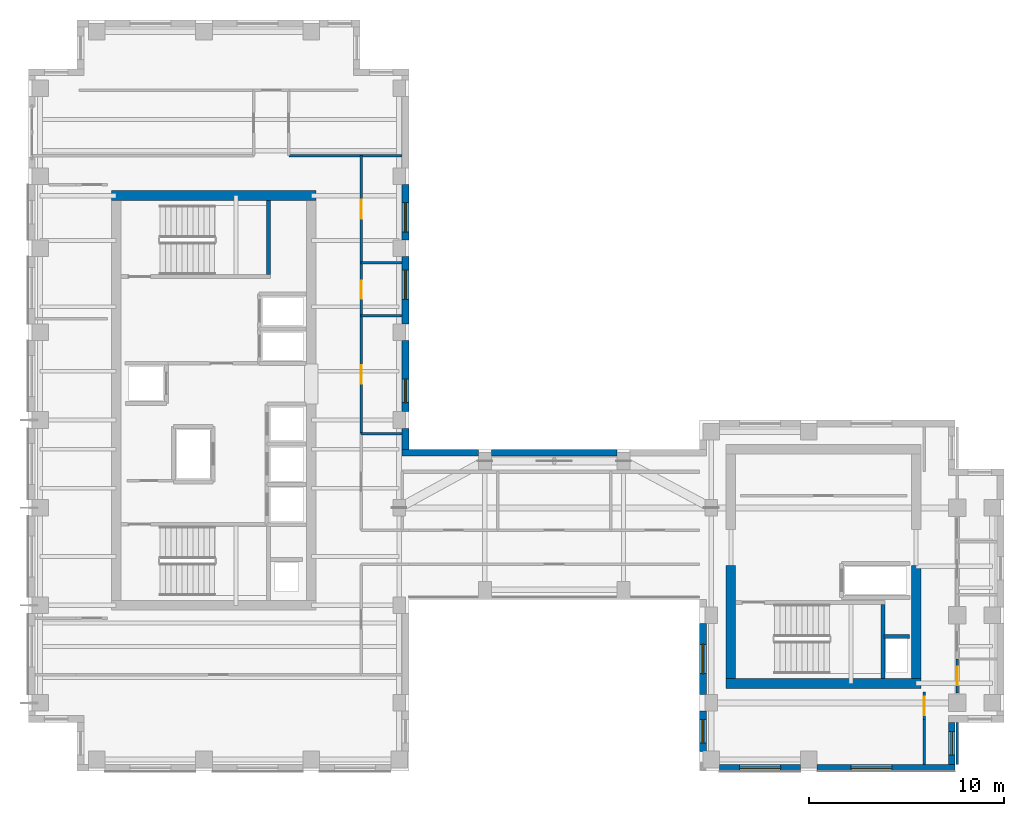
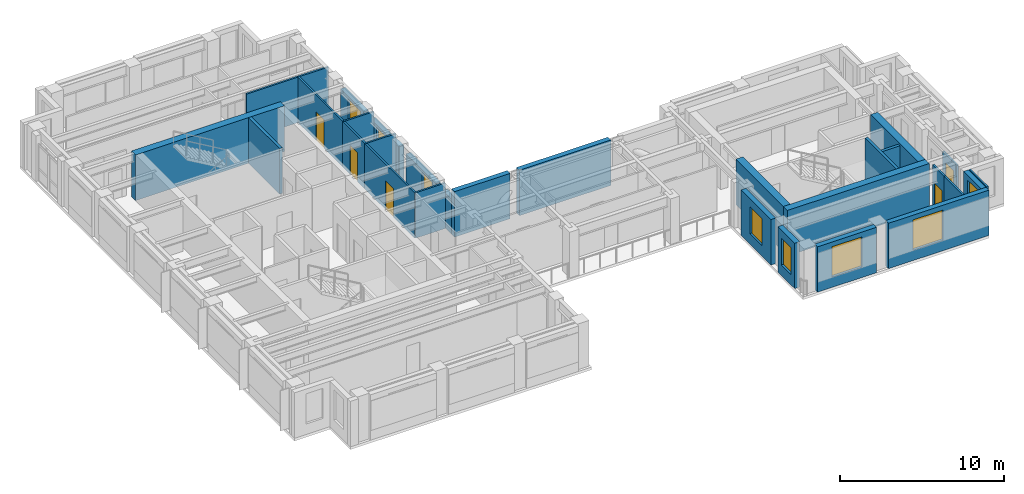
# One storey, part 8 of 13: 29 walls, 8 windows, 5 doors, 13 openings.
"""IFC4 building model written with IfcOpenShell, lengths in metres."""

from ifc_helpers import new_model, si_unit, direction, frame, frame_2d, origin, place, context, subcontext, project, spatial, rectangle, extrude, source, transform, mapped, material, layer, layer_set, type_object, element, fill, save


model = new_model("IFC4")

# Units and contexts
model_context = context("Model", 3, precision=1e-05, world=origin(), true_north=direction((0.0, 1.0)))
body_context = subcontext(model_context, "Body", "Model", "MODEL_VIEW")
ifc_project = project(units=[si_unit("LENGTHUNIT", "METRE"), si_unit("AREAUNIT", "SQUARE_METRE"), si_unit("VOLUMEUNIT", "CUBIC_METRE"), si_unit("PLANEANGLEUNIT", "RADIAN"), si_unit("MASSUNIT", "GRAM", prefix="KILO")], contexts=[model_context])

# Site, building, storey
site_placement = place(None, origin())
site = spatial("IfcSite", under=ifc_project, at=site_placement, CompositionType="ELEMENT")
building_placement = place(site_placement, origin())
building = spatial("IfcBuilding", under=site, at=building_placement, Name="Kharzan Plaza Tower", CompositionType="ELEMENT")
storey_placement = place(building_placement, frame((0.0, 0.0, 244.800048828125)))
storey = spatial("IfcBuildingStorey", under=building, at=storey_placement, Name="L66", CompositionType="ELEMENT", Elevation=244.800048828125)

# Wall, opening, window
ifc_material_1 = material(Name="Concrete C40/50", Category="concrete")
ifc_layer_1 = layer(ifc_material_1, 0.35009765625)
ifc_layer_set_1 = layer_set([ifc_layer_1], Name="Concrete C40/50")
wall_type_1 = type_object("IfcWallType", Name="WL-EXT-MAS-Z4", PredefinedType="SOLIDWALL", material=ifc_layer_set_1)
wall_1_placement = place(storey_placement, frame((19.324951171875, 18.423095703125, 0.0), z_axis=(0.0, 0.0, 1.0), x_axis=(0.0, 1.0, 0.0)))
wall_1 = element("IfcWall", 1, at=wall_1_placement, inside=storey, type_object=wall_type_1, Name="L66 Masonry-Frame Exterior Wall 02", PredefinedType="SOLIDWALL", context=body_context, shape_type="SweptSolid", body=[
    extrude(rectangle(XDim=3.65380859375, YDim=0.35009765625, at=frame_2d((1.826904296875, 0.0))), origin(), (0.0, 0.0, 1.0), 2.618896484375),
])
opening_1_placement = place(wall_1_placement, frame((0.469970703125, 0.0, 0.780029296875)))
opening_1 = element("IfcOpeningElement", 2, at=opening_1_placement, cuts=wall_1, Name="Opening W3", PredefinedType="OPENING", context=body_context, shape_type="SweptSolid", body=[
    extrude(rectangle(XDim=1.199951171875, YDim=1.658935546875, at=frame_2d((0.60009765625, 0.82958984375))), frame((0.0, 0.18505859375, 0.0), z_axis=(0.0, -1.0, 0.0), x_axis=(1.0, 0.0, 0.0)), (0.0, 0.0, 1.0), 0.3701171875),
])
ifc_material_2 = material(Name="Low-E Double Glazing", Category="glass")
window_type_1 = type_object("IfcWindowType", Name="WN-REC-1200x2100", PartitioningType="SINGLE_PANEL", PredefinedType="WINDOW", material=ifc_material_2)
shared_shape_1 = source(origin(), body_context, "Body", "SweptSolid", [
    extrude(rectangle(XDim=1.199951171875, YDim=1.658935546875, at=frame_2d((0.60009765625, 0.82958984375))), frame((0.0, 0.030029296875, 0.0), z_axis=(0.0, -1.0, 0.0), x_axis=(1.0, 0.0, 0.0)), (0.0, 0.0, 1.0), 0.06005859375),
])
window_1_placement = place(opening_1_placement, origin())
window_1 = element("IfcWindow", 3, at=window_1_placement, inside=storey, type_object=window_type_1, Name="L66 Recessed Solar-Control Window 02-1", OverallHeight=1.658935546875, OverallWidth=1.199951171875, PartitioningType="SINGLE_PANEL", PredefinedType="WINDOW", context=body_context, shape_type="MappedRepresentation", body=[
    mapped(shared_shape_1, transform((0.0, 0.0, 0.0), x_axis=(1.0, 0.0, 0.0), y_axis=(0.0, 1.0, 0.0), z_axis=(0.0, 0.0, 1.0))),
])
fill(opening_1, window_1)

wall_2_placement = place(storey_placement, frame((19.324951171875, 22.923095703125, 0.0), z_axis=(0.0, 0.0, 1.0), x_axis=(0.0, 1.0, 0.0)))
wall_2 = element("IfcWall", 4, at=wall_2_placement, inside=storey, type_object=wall_type_1, Name="L66 Masonry-Frame Exterior Wall 03", PredefinedType="SOLIDWALL", context=body_context, shape_type="SweptSolid", body=[
    extrude(rectangle(XDim=3.453857421875, YDim=0.35009765625, at=frame_2d((1.72705078125, 0.0))), origin(), (0.0, 0.0, 1.0), 2.618896484375),
])
opening_2_placement = place(wall_2_placement, frame((1.255615234375, 0.0, 0.780029296875)))
opening_2 = element("IfcOpeningElement", 5, at=opening_2_placement, cuts=wall_2, Name="Opening W5", PredefinedType="OPENING", context=body_context, shape_type="SweptSolid", body=[
    extrude(rectangle(XDim=1.5, YDim=1.658935546875, at=frame_2d((0.75, 0.82958984375))), frame((0.0, 0.18505859375, 0.0), z_axis=(0.0, -1.0, 0.0), x_axis=(1.0, 0.0, 0.0)), (0.0, 0.0, 1.0), 0.3701171875),
])
window_type_2 = type_object("IfcWindowType", Name="WN-SLT-1500x2000", PartitioningType="SINGLE_PANEL", PredefinedType="WINDOW", material=ifc_material_2)
shared_shape_2 = source(origin(), body_context, "Body", "SweptSolid", [
    extrude(rectangle(XDim=1.5, YDim=1.658935546875, at=frame_2d((0.75, 0.82958984375))), frame((0.0, 0.030029296875, 0.0), z_axis=(0.0, -1.0, 0.0), x_axis=(1.0, 0.0, 0.0)), (0.0, 0.0, 1.0), 0.06005859375),
])
window_2_placement = place(opening_2_placement, origin())
window_2 = element("IfcWindow", 6, at=window_2_placement, inside=storey, type_object=window_type_2, Name="L66 Recessed Solar-Control Window 03-1", OverallHeight=1.658935546875, OverallWidth=1.5, PartitioningType="SINGLE_PANEL", PredefinedType="WINDOW", context=body_context, shape_type="MappedRepresentation", body=[
    mapped(shared_shape_2, transform((0.0, 0.0, 0.0), x_axis=(1.0, 0.0, 0.0), y_axis=(0.0, 1.0, 0.0), z_axis=(0.0, 0.0, 1.0))),
])
fill(opening_2, window_2)

wall_3_placement = place(storey_placement, frame((19.324951171875, 27.222900390625, 0.0), z_axis=(0.0, 0.0, 1.0), x_axis=(0.0, 1.0, 0.0)))
wall_3 = element("IfcWall", 7, at=wall_3_placement, inside=storey, type_object=wall_type_1, Name="L66 Masonry-Frame Exterior Wall 04", PredefinedType="SOLIDWALL", context=body_context, shape_type="SweptSolid", body=[
    extrude(rectangle(XDim=2.85400390625, YDim=0.35009765625, at=frame_2d((1.427001953125, 0.0))), origin(), (0.0, 0.0, 1.0), 2.618896484375),
])
opening_3_placement = place(wall_3_placement, frame((0.411376953125, 0.0, 0.780029296875)))
opening_3 = element("IfcOpeningElement", 8, at=opening_3_placement, cuts=wall_3, Name="Opening W5", PredefinedType="OPENING", context=body_context, shape_type="SweptSolid", body=[
    extrude(rectangle(XDim=1.5, YDim=1.658935546875, at=frame_2d((0.75, 0.82958984375))), frame((0.0, 0.18505859375, 0.0), z_axis=(0.0, -1.0, 0.0), x_axis=(1.0, 0.0, 0.0)), (0.0, 0.0, 1.0), 0.3701171875),
])
window_3_placement = place(opening_3_placement, origin())
window_3 = element("IfcWindow", 9, at=window_3_placement, inside=storey, type_object=window_type_2, Name="L66 Recessed Solar-Control Window 04-1", OverallHeight=1.658935546875, OverallWidth=1.5, PartitioningType="SINGLE_PANEL", PredefinedType="WINDOW", context=body_context, shape_type="MappedRepresentation", body=[
    mapped(shared_shape_2, transform((0.0, 0.0, 0.0), x_axis=(1.0, 0.0, 0.0), y_axis=(0.0, 1.0, 0.0), z_axis=(0.0, 0.0, 1.0))),
])
fill(opening_3, window_3)

wall_4_placement = place(storey_placement, frame((34.574951171875, 7.576904296875, 0.0), z_axis=(0.0, 0.0, 1.0), x_axis=(0.0, -1.0, 0.0)))
wall_4 = element("IfcWall", 10, at=wall_4_placement, inside=storey, type_object=wall_type_1, Name="L66 Masonry-Frame Exterior Wall 34", PredefinedType="SOLIDWALL", context=body_context, shape_type="SweptSolid", body=[
    extrude(rectangle(XDim=3.65380859375, YDim=0.35009765625, at=frame_2d((1.826904296875, 0.0))), origin(), (0.0, 0.0, 1.0), 3.385009765625),
])
opening_4_placement = place(wall_4_placement, frame((1.076904296875, 0.0, 0.780029296875)))
opening_4 = element("IfcOpeningElement", 11, at=opening_4_placement, cuts=wall_4, Name="Opening W5", PredefinedType="OPENING", context=body_context, shape_type="SweptSolid", body=[
    extrude(rectangle(XDim=1.5, YDim=2.0, at=frame_2d((0.75, 1.0))), frame((0.0, 0.18505859375, 0.0), z_axis=(0.0, -1.0, 0.0), x_axis=(1.0, 0.0, 0.0)), (0.0, 0.0, 1.0), 0.3701171875),
])
shared_shape_3 = source(origin(), body_context, "Body", "SweptSolid", [
    extrude(rectangle(XDim=1.5, YDim=2.0, at=frame_2d((0.75, 1.0))), frame((0.0, 0.030029296875, 0.0), z_axis=(0.0, -1.0, 0.0), x_axis=(1.0, 0.0, 0.0)), (0.0, 0.0, 1.0), 0.06005859375),
])
window_4_placement = place(opening_4_placement, origin())
window_4 = element("IfcWindow", 12, at=window_4_placement, inside=storey, type_object=window_type_2, Name="L66 Recessed Solar-Control Window 34-1", OverallHeight=2.0, OverallWidth=1.5, PartitioningType="SINGLE_PANEL", PredefinedType="WINDOW", context=body_context, shape_type="MappedRepresentation", body=[
    mapped(shared_shape_3, transform((0.0, 0.0, 0.0), x_axis=(1.0, 0.0, 0.0), y_axis=(0.0, 1.0, 0.0), z_axis=(0.0, 0.0, 1.0))),
])
fill(opening_4, window_4)

wall_5_placement = place(storey_placement, frame((34.574951171875, 3.076904296875, 0.0), z_axis=(0.0, 0.0, 1.0), x_axis=(0.0, -1.0, 0.0)))
wall_5 = element("IfcWall", 13, at=wall_5_placement, inside=storey, type_object=wall_type_1, Name="L66 Masonry-Frame Exterior Wall 35", PredefinedType="SOLIDWALL", context=body_context, shape_type="SweptSolid", body=[
    extrude(rectangle(XDim=2.053955078125, YDim=0.35009765625, at=frame_2d((1.02685546875, 0.0))), origin(), (0.0, 0.0, 1.0), 3.385009765625),
])
opening_5_placement = place(wall_5_placement, frame((0.427001953125, 0.0, 0.780029296875)))
opening_5 = element("IfcOpeningElement", 14, at=opening_5_placement, cuts=wall_5, Name="Opening W3", PredefinedType="OPENING", context=body_context, shape_type="SweptSolid", body=[
    extrude(rectangle(XDim=1.199951171875, YDim=2.0, at=frame_2d((0.60009765625, 1.0))), frame((0.0, 0.18505859375, 0.0), z_axis=(0.0, -1.0, 0.0), x_axis=(1.0, 0.0, 0.0)), (0.0, 0.0, 1.0), 0.3701171875),
])
shared_shape_4 = source(origin(), body_context, "Body", "SweptSolid", [
    extrude(rectangle(XDim=1.199951171875, YDim=2.0, at=frame_2d((0.60009765625, 1.0))), frame((0.0, 0.030029296875, 0.0), z_axis=(0.0, -1.0, 0.0), x_axis=(1.0, 0.0, 0.0)), (0.0, 0.0, 1.0), 0.06005859375),
])
window_5_placement = place(opening_5_placement, origin())
window_5 = element("IfcWindow", 15, at=window_5_placement, inside=storey, type_object=window_type_1, Name="L66 Recessed Solar-Control Window 35-1", OverallHeight=2.0, OverallWidth=1.199951171875, PartitioningType="SINGLE_PANEL", PredefinedType="WINDOW", context=body_context, shape_type="MappedRepresentation", body=[
    mapped(shared_shape_4, transform((0.0, 0.0, 0.0), x_axis=(1.0, 0.0, 0.0), y_axis=(0.0, 1.0, 0.0), z_axis=(0.0, 0.0, 1.0))),
])
fill(opening_5, window_5)

wall_6_placement = place(storey_placement, frame((35.423095703125, 0.175048828125, 0.0), z_axis=(0.0, 0.0, 1.0), x_axis=(1.0, 0.0, 0.0)))
wall_6 = element("IfcWall", 16, at=wall_6_placement, inside=storey, type_object=wall_type_1, Name="L66 Masonry-Frame Exterior Wall 36", PredefinedType="SOLIDWALL", context=body_context, shape_type="SweptSolid", body=[
    extrude(rectangle(XDim=4.15380859375, YDim=0.35009765625, at=frame_2d((2.076904296875, 0.0))), origin(), (0.0, 0.0, 1.0), 3.385009765625),
])
opening_6_placement = place(wall_6_placement, frame((1.027099609375, 0.0, 0.780029296875)))
opening_6 = element("IfcOpeningElement", 17, at=opening_6_placement, cuts=wall_6, Name="Opening W6", PredefinedType="OPENING", context=body_context, shape_type="SweptSolid", body=[
    extrude(rectangle(XDim=2.10009765625, YDim=2.25, at=frame_2d((1.050048828125, 1.125))), frame((0.0, 0.18505859375, 0.0), z_axis=(0.0, -1.0, 0.0), x_axis=(1.0, 0.0, 0.0)), (0.0, 0.0, 1.0), 0.3701171875),
])
window_type_3 = type_object("IfcWindowType", Name="WN-EXEC-2100x2250", PartitioningType="SINGLE_PANEL", PredefinedType="WINDOW", material=ifc_material_2)
shared_shape_5 = source(origin(), body_context, "Body", "SweptSolid", [
    extrude(rectangle(XDim=2.10009765625, YDim=2.25, at=frame_2d((1.050048828125, 1.125))), frame((0.0, 0.030029296875, 0.0), z_axis=(0.0, -1.0, 0.0), x_axis=(1.0, 0.0, 0.0)), (0.0, 0.0, 1.0), 0.06005859375),
])
window_6_placement = place(opening_6_placement, origin())
window_6 = element("IfcWindow", 18, at=window_6_placement, inside=storey, type_object=window_type_3, Name="L66 Recessed Solar-Control Window 36-1", OverallHeight=2.25, OverallWidth=2.10009765625, PartitioningType="SINGLE_PANEL", PredefinedType="WINDOW", context=body_context, shape_type="MappedRepresentation", body=[
    mapped(shared_shape_5, transform((0.0, 0.0, 0.0), x_axis=(1.0, 0.0, 0.0), y_axis=(0.0, 1.0, 0.0), z_axis=(0.0, 0.0, 1.0))),
])
fill(opening_6, window_6)

wall_7_placement = place(storey_placement, frame((40.423095703125, 0.175048828125, 0.0), z_axis=(0.0, 0.0, 1.0), x_axis=(1.0, 0.0, 0.0)))
wall_7 = element("IfcWall", 19, at=wall_7_placement, inside=storey, type_object=wall_type_1, Name="L66 Masonry-Frame Exterior Wall 37", PredefinedType="SOLIDWALL", context=body_context, shape_type="SweptSolid", body=[
    extrude(rectangle(XDim=7.076904296875, YDim=0.35009765625, at=frame_2d((3.53857421875, 0.0))), origin(), (0.0, 0.0, 1.0), 3.385009765625),
])
opening_7_placement = place(wall_7_placement, frame((1.7333984375, 0.0, 0.780029296875)))
opening_7 = element("IfcOpeningElement", 20, at=opening_7_placement, cuts=wall_7, Name="Opening W6", PredefinedType="OPENING", context=body_context, shape_type="SweptSolid", body=[
    extrude(rectangle(XDim=2.10009765625, YDim=2.25, at=frame_2d((1.050048828125, 1.125))), frame((0.0, 0.18505859375, 0.0), z_axis=(0.0, -1.0, 0.0), x_axis=(1.0, 0.0, 0.0)), (0.0, 0.0, 1.0), 0.3701171875),
])
window_7_placement = place(opening_7_placement, origin())
window_7 = element("IfcWindow", 21, at=window_7_placement, inside=storey, type_object=window_type_3, Name="L66 Recessed Solar-Control Window 37-1", OverallHeight=2.25, OverallWidth=2.10009765625, PartitioningType="SINGLE_PANEL", PredefinedType="WINDOW", context=body_context, shape_type="MappedRepresentation", body=[
    mapped(shared_shape_5, transform((0.0, 0.0, 0.0), x_axis=(1.0, 0.0, 0.0), y_axis=(0.0, 1.0, 0.0), z_axis=(0.0, 0.0, 1.0))),
])
fill(opening_7, window_7)

wall_8_placement = place(storey_placement, frame((47.324951171875, 0.347900390625, 0.0), z_axis=(0.0, 0.0, 1.0), x_axis=(0.0, 1.0, 0.0)))
wall_8 = element("IfcWall", 22, at=wall_8_placement, inside=storey, type_object=wall_type_1, Name="L66 Masonry-Frame Exterior Wall 38", PredefinedType="SOLIDWALL", context=body_context, shape_type="SweptSolid", body=[
    extrude(rectangle(XDim=2.154052734375, YDim=0.35009765625, at=frame_2d((1.0771484375, 0.0))), origin(), (0.0, 0.0, 1.0), 3.385009765625),
])
opening_8_placement = place(wall_8_placement, frame((0.47705078125, 0.0, 0.780029296875)))
opening_8 = element("IfcOpeningElement", 23, at=opening_8_placement, cuts=wall_8, Name="Opening W3", PredefinedType="OPENING", context=body_context, shape_type="SweptSolid", body=[
    extrude(rectangle(XDim=1.199951171875, YDim=2.25, at=frame_2d((0.60009765625, 1.125))), frame((0.0, 0.18505859375, 0.0), z_axis=(0.0, -1.0, 0.0), x_axis=(1.0, 0.0, 0.0)), (0.0, 0.0, 1.0), 0.3701171875),
])
shared_shape_6 = source(origin(), body_context, "Body", "SweptSolid", [
    extrude(rectangle(XDim=1.199951171875, YDim=2.25, at=frame_2d((0.60009765625, 1.125))), frame((0.0, 0.030029296875, 0.0), z_axis=(0.0, -1.0, 0.0), x_axis=(1.0, 0.0, 0.0)), (0.0, 0.0, 1.0), 0.06005859375),
])
window_8_placement = place(opening_8_placement, origin())
window_8 = element("IfcWindow", 24, at=window_8_placement, inside=storey, type_object=window_type_1, Name="L66 Recessed Solar-Control Window 38-1", OverallHeight=2.25, OverallWidth=1.199951171875, PartitioningType="SINGLE_PANEL", PredefinedType="WINDOW", context=body_context, shape_type="MappedRepresentation", body=[
    mapped(shared_shape_6, transform((0.0, 0.0, 0.0), x_axis=(1.0, 0.0, 0.0), y_axis=(0.0, 1.0, 0.0), z_axis=(0.0, 0.0, 1.0))),
])
fill(opening_8, window_8)

# Wall, opening, door
ifc_material_3 = material(Name="Fire-Rated Gypsum Board Partition", Category="gypsum")
ifc_layer_2 = layer(ifc_material_3, 0.125)
ifc_layer_set_2 = layer_set([ifc_layer_2], Name="Fire-Rated Gypsum Board Partition")
wall_type_2 = type_object("IfcWallType", Name="WL-INT-PART-125", PredefinedType="PARTITIONING", material=ifc_layer_set_2)
wall_9_placement = place(storey_placement, frame((17.050048828125, 17.300048828125, 0.0), z_axis=(0.0, 0.0, 1.0), x_axis=(0.0, 1.0, 0.0)))
wall_9 = element("IfcWall", 25, at=wall_9_placement, inside=storey, type_object=wall_type_2, Name="L66 Interior Partition SH-AEWN2", PredefinedType="PARTITIONING", context=body_context, shape_type="SweptSolid", body=[
    extrude(rectangle(XDim=6.050048828125, YDim=0.125, at=frame_2d((3.02490234375, 0.0))), origin(), (0.0, 0.0, 1.0), 3.385009765625),
])
opening_9_placement = place(wall_9_placement, frame((2.550048828125, 0.0, 0.0)))
opening_9 = element("IfcOpeningElement", 26, at=opening_9_placement, cuts=wall_9, Name="Opening OD1", PredefinedType="OPENING", context=body_context, shape_type="SweptSolid", body=[
    extrude(rectangle(XDim=0.949951171875, YDim=2.14990234375, at=frame_2d((0.47509765625, 1.074951171875))), frame((0.0, 0.072509765625, 0.0), z_axis=(0.0, -1.0, 0.0), x_axis=(1.0, 0.0, 0.0)), (0.0, 0.0, 1.0), 0.14501953125),
])
ifc_material_4 = material(Name="Acoustic Solid-Core Stained Oak", Category="timber")
door_type_1 = type_object("IfcDoorType", Name="DR-OFF-SINGLE", OperationType="NOTDEFINED", PredefinedType="DOOR", material=ifc_material_4)
shared_shape_7 = source(origin(), body_context, "Body", "SweptSolid", [
    extrude(rectangle(XDim=0.949951171875, YDim=2.14990234375, at=frame_2d((0.47509765625, 1.074951171875))), frame((0.0, 0.02490234375, 0.0), z_axis=(0.0, -1.0, 0.0), x_axis=(1.0, 0.0, 0.0)), (0.0, 0.0, 1.0), 0.050048828125),
])
door_1_placement = place(opening_9_placement, origin())
door_1 = element("IfcDoor", 27, at=door_1_placement, inside=storey, type_object=door_type_1, Name="L66 Slot Studio Door", OperationType="SINGLE_SWING_RIGHT", OverallHeight=2.14990234375, OverallWidth=0.949951171875, PredefinedType="DOOR", context=body_context, shape_type="MappedRepresentation", body=[
    mapped(shared_shape_7, transform((0.0, 0.0, 0.0), x_axis=(1.0, 0.0, 0.0), y_axis=(0.0, 1.0, 0.0), z_axis=(0.0, 0.0, 1.0))),
])
fill(opening_9, door_1)

wall_10_placement = place(storey_placement, frame((17.050048828125, 26.050048828125, 0.0), z_axis=(0.0, 0.0, 1.0), x_axis=(0.0, 1.0, 0.0)))
wall_10 = element("IfcWall", 28, at=wall_10_placement, inside=storey, type_object=wall_type_2, Name="L66 Interior Partition SH-AEWN3", PredefinedType="PARTITIONING", context=body_context, shape_type="SweptSolid", body=[
    extrude(rectangle(XDim=5.5, YDim=0.125, at=frame_2d((2.75, 0.0))), origin(), (0.0, 0.0, 1.0), 3.385009765625),
])
opening_10_placement = place(wall_10_placement, frame((2.27490234375, 0.0, 0.0)))
opening_10 = element("IfcOpeningElement", 29, at=opening_10_placement, cuts=wall_10, Name="Opening OD1", PredefinedType="OPENING", context=body_context, shape_type="SweptSolid", body=[
    extrude(rectangle(XDim=0.949951171875, YDim=2.14990234375, at=frame_2d((0.47509765625, 1.074951171875))), frame((0.0, 0.072509765625, 0.0), z_axis=(0.0, -1.0, 0.0), x_axis=(1.0, 0.0, 0.0)), (0.0, 0.0, 1.0), 0.14501953125),
])
door_2_placement = place(opening_10_placement, origin())
door_2 = element("IfcDoor", 30, at=door_2_placement, inside=storey, type_object=door_type_1, Name="L66 Staff Tea Point Door", OperationType="SINGLE_SWING_RIGHT", OverallHeight=2.14990234375, OverallWidth=0.949951171875, PredefinedType="DOOR", context=body_context, shape_type="MappedRepresentation", body=[
    mapped(shared_shape_7, transform((0.0, 0.0, 0.0), x_axis=(1.0, 0.0, 0.0), y_axis=(0.0, 1.0, 0.0), z_axis=(0.0, 0.0, 1.0))),
])
fill(opening_10, door_2)

wall_11_placement = place(storey_placement, frame((17.050048828125, 23.35009765625, 0.0), z_axis=(0.0, 0.0, 1.0), x_axis=(0.0, 1.0, 0.0)))
wall_11 = element("IfcWall", 31, at=wall_11_placement, inside=storey, type_object=wall_type_2, Name="L66 Interior Partition SH-AEWW", PredefinedType="PARTITIONING", context=body_context, shape_type="SweptSolid", body=[
    extrude(rectangle(XDim=2.699951171875, YDim=0.125, at=frame_2d((1.35009765625, 0.0))), origin(), (0.0, 0.0, 1.0), 3.385009765625),
])
opening_11_placement = place(wall_11_placement, frame((0.875, 0.0, 0.0)))
opening_11 = element("IfcOpeningElement", 32, at=opening_11_placement, cuts=wall_11, Name="Opening WD1", PredefinedType="OPENING", context=body_context, shape_type="SweptSolid", body=[
    extrude(rectangle(XDim=0.89990234375, YDim=2.14990234375, at=frame_2d((0.449951171875, 1.074951171875))), frame((0.0, 0.072509765625, 0.0), z_axis=(0.0, -1.0, 0.0), x_axis=(1.0, 0.0, 0.0)), (0.0, 0.0, 1.0), 0.14501953125),
])
ifc_material_5 = material(Name="Moisture-Resistant Fire-Rated Laminate", Category="timber")
door_type_2 = type_object("IfcDoorType", Name="DR-WC-900", OperationType="NOTDEFINED", PredefinedType="DOOR", material=ifc_material_5)
shared_shape_8 = source(origin(), body_context, "Body", "SweptSolid", [
    extrude(rectangle(XDim=0.89990234375, YDim=2.14990234375, at=frame_2d((0.449951171875, 1.074951171875))), frame((0.0, 0.02490234375, 0.0), z_axis=(0.0, -1.0, 0.0), x_axis=(1.0, 0.0, 0.0)), (0.0, 0.0, 1.0), 0.050048828125),
])
door_3_placement = place(opening_11_placement, origin())
door_3 = element("IfcDoor", 33, at=door_3_placement, inside=storey, type_object=door_type_2, Name="L66 Wing A Washroom Door", OperationType="SINGLE_SWING_LEFT", OverallHeight=2.14990234375, OverallWidth=0.89990234375, PredefinedType="DOOR", context=body_context, shape_type="MappedRepresentation", body=[
    mapped(shared_shape_8, transform((0.0, 0.0, 0.0), x_axis=(1.0, 0.0, 0.0), y_axis=(0.0, 1.0, 0.0), z_axis=(0.0, 0.0, 1.0))),
])
fill(opening_11, door_3)

wall_12_placement = place(storey_placement, frame((47.60009765625, 4.02001953125, 0.0), z_axis=(0.0, 0.0, 1.0), x_axis=(0.0, 1.0, 0.0)))
wall_12 = element("IfcWall", 34, at=wall_12_placement, inside=storey, type_object=wall_type_2, Name="L66 Interior Partition SH-B3W0", PredefinedType="PARTITIONING", context=body_context, shape_type="SweptSolid", body=[
    extrude(rectangle(XDim=1.72998046875, YDim=0.125, at=frame_2d((0.864990234375, 0.0))), origin(), (0.0, 0.0, 1.0), 2.77294921875),
])
opening_12_placement = place(wall_12_placement, frame((0.389892578125, 0.0, 0.0)))
opening_12 = element("IfcOpeningElement", 35, at=opening_12_placement, cuts=wall_12, Name="Opening OD1", PredefinedType="OPENING", context=body_context, shape_type="SweptSolid", body=[
    extrude(rectangle(XDim=0.949951171875, YDim=2.14990234375, at=frame_2d((0.47509765625, 1.074951171875))), frame((0.0, 0.072509765625, 0.0), z_axis=(0.0, -1.0, 0.0), x_axis=(1.0, 0.0, 0.0)), (0.0, 0.0, 1.0), 0.14501953125),
])
door_4_placement = place(opening_12_placement, origin())
door_4 = element("IfcDoor", 36, at=door_4_placement, inside=storey, type_object=door_type_1, Name="L66 Wing B Office 1 Door", OperationType="SINGLE_SWING_RIGHT", OverallHeight=2.14990234375, OverallWidth=0.949951171875, PredefinedType="DOOR", context=body_context, shape_type="MappedRepresentation", body=[
    mapped(shared_shape_7, transform((0.0, 0.0, 0.0), x_axis=(1.0, 0.0, 0.0), y_axis=(0.0, 1.0, 0.0), z_axis=(0.0, 0.0, 1.0))),
])
fill(opening_12, door_4)

wall_13_placement = place(storey_placement, frame((45.919921875, 2.64990234375, 0.0), z_axis=(0.0, 0.0, 1.0), x_axis=(0.0, 1.0, 0.0)))
wall_13 = element("IfcWall", 37, at=wall_13_placement, inside=storey, type_object=wall_type_2, Name="L66 Interior Partition SH-RBSE", PredefinedType="PARTITIONING", context=body_context, shape_type="SweptSolid", body=[
    extrude(rectangle(XDim=1.400146484375, YDim=0.125, at=frame_2d((0.7001953125, 0.0))), origin(), (0.0, 0.0, 1.0), 3.385009765625),
])
opening_13_placement = place(wall_13_placement, frame((0.22509765625, 0.0, 0.0)))
opening_13 = element("IfcOpeningElement", 38, at=opening_13_placement, cuts=wall_13, Name="Opening OD1", PredefinedType="OPENING", context=body_context, shape_type="SweptSolid", body=[
    extrude(rectangle(XDim=0.949951171875, YDim=2.14990234375, at=frame_2d((0.47509765625, 1.074951171875))), frame((0.0, 0.072509765625, 0.0), z_axis=(0.0, -1.0, 0.0), x_axis=(1.0, 0.0, 0.0)), (0.0, 0.0, 1.0), 0.14501953125),
])
door_5_placement = place(opening_13_placement, origin())
door_5 = element("IfcDoor", 39, at=door_5_placement, inside=storey, type_object=door_type_1, Name="L66 South-East Corner Office Door", OperationType="SINGLE_SWING_LEFT", OverallHeight=2.14990234375, OverallWidth=0.949951171875, PredefinedType="DOOR", context=body_context, shape_type="MappedRepresentation", body=[
    mapped(shared_shape_7, transform((0.0, 0.0, 0.0), x_axis=(1.0, 0.0, 0.0), y_axis=(0.0, 1.0, 0.0), z_axis=(0.0, 0.0, 1.0))),
])
fill(opening_13, door_5)

# Walls
shared_shape_9 = source(origin(), body_context, "Body", "SweptSolid", [
    extrude(rectangle(XDim=2.097900390625, YDim=0.125, at=frame_2d((1.048828125, 0.0))), origin(), (0.0, 0.0, 1.0), 3.385009765625),
])
for number, where, z_axis, x_axis, name in (
    (40, (17.050048828125, 17.300048828125, 0.0), (0.0, 0.0, 1.0), (1.0, 0.0, 0.0), "L66 Interior Partition SH-AEH-173"),
    (41, (17.050048828125, 23.35009765625, 0.0), (0.0, 0.0, 1.0), (1.0, 0.0, 0.0), "L66 Interior Partition SH-AEH-233"),
    (42, (17.050048828125, 26.050048828125, 0.0), (0.0, 0.0, 1.0), (1.0, 0.0, 0.0), "L66 Interior Partition SH-AEH-260"),
):
    element("IfcWall", number, at=place(storey_placement, frame(where, z_axis=z_axis, x_axis=x_axis)), inside=storey, type_object=wall_type_2, Name=name, PredefinedType="PARTITIONING", context=body_context, shape_type="MappedRepresentation", body=[
        mapped(shared_shape_9, transform((0.0, 0.0, 0.0), x_axis=(1.0, 0.0, 0.0), y_axis=(0.0, 1.0, 0.0), z_axis=(0.0, 0.0, 1.0))),
    ])
shared_shape_10 = source(origin(), body_context, "Body", "SweptSolid", [
    extrude(rectangle(XDim=2.2978515625, YDim=0.125, at=frame_2d((1.14892578125, 0.0))), origin(), (0.0, 0.0, 1.0), 3.385009765625),
])
wall_14_placement = place(storey_placement, frame((45.919921875, 0.35205078125, 0.0), z_axis=(0.0, 0.0, 1.0), x_axis=(0.0, 1.0, 0.0)))
element("IfcWall", 43, at=wall_14_placement, inside=storey, type_object=wall_type_2, Name="L66 Interior Partition SH-RBSE0", PredefinedType="PARTITIONING", context=body_context, shape_type="MappedRepresentation", body=[
    mapped(shared_shape_10, transform((0.0, 0.0, 0.0), x_axis=(1.0, 0.0, 0.0), y_axis=(0.0, 1.0, 0.0), z_axis=(0.0, 0.0, 1.0))),
])
ifc_layer_3 = layer(ifc_material_1, 0.199951171875)
ifc_layer_set_3 = layer_set([ifc_layer_3], Name="Concrete C40/50")
wall_type_3 = type_object("IfcWallType", Name="WL-INT-SHAFT-200", PredefinedType="PARTITIONING", material=ifc_layer_set_3)
shared_shape_11 = source(origin(), body_context, "Body", "SweptSolid", [
    extrude(rectangle(XDim=1.2998046875, YDim=0.199951171875, at=frame_2d((0.64990234375, 0.0))), origin(), (0.0, 0.0, 1.0), 3.385009765625),
])
wall_15_placement = place(storey_placement, frame((43.85009765625, 6.89990234375, 0.0), z_axis=(0.0, 0.0, 1.0), x_axis=(1.0, 0.0, 0.0)))
element("IfcWall", 44, at=wall_15_placement, inside=storey, type_object=wall_type_3, Name="L66 Interior Partition CB-RSRB-N", PredefinedType="PARTITIONING", context=body_context, shape_type="MappedRepresentation", body=[
    mapped(shared_shape_11, transform((0.0, 0.0, 0.0), x_axis=(1.0, 0.0, 0.0), y_axis=(0.0, 1.0, 0.0), z_axis=(0.0, 0.0, 1.0))),
])
shared_shape_12 = source(origin(), body_context, "Body", "SweptSolid", [
    extrude(rectangle(XDim=5.7978515625, YDim=0.125, at=frame_2d((2.89892578125, 0.0))), origin(), (0.0, 0.0, 1.0), 3.385009765625),
])
wall_16_placement = place(storey_placement, frame((13.35009765625, 31.550048828125, 0.0), z_axis=(0.0, 0.0, 1.0), x_axis=(1.0, 0.0, 0.0)))
element("IfcWall", 45, at=wall_16_placement, inside=storey, type_object=wall_type_2, Name="L66 Interior Partition SH-NNE", PredefinedType="PARTITIONING", context=body_context, shape_type="MappedRepresentation", body=[
    mapped(shared_shape_12, transform((0.0, 0.0, 0.0), x_axis=(1.0, 0.0, 0.0), y_axis=(0.0, 1.0, 0.0), z_axis=(0.0, 0.0, 1.0))),
])
shared_shape_13 = source(origin(), body_context, "Body", "SweptSolid", [
    extrude(rectangle(XDim=2.14794921875, YDim=0.125, at=frame_2d((1.073974609375, 0.0))), origin(), (0.0, 0.0, 1.0), 3.385009765625),
])
wall_17_placement = place(storey_placement, frame((47.60009765625, 0.35009765625, 0.0), z_axis=(0.0, 0.0, 1.0), x_axis=(0.0, 1.0, 0.0)))
element("IfcWall", 46, at=wall_17_placement, inside=storey, type_object=wall_type_2, Name="L66 Interior Partition SH-B3W0S", PredefinedType="PARTITIONING", context=body_context, shape_type="MappedRepresentation", body=[
    mapped(shared_shape_13, transform((0.0, 0.0, 0.0), x_axis=(1.0, 0.0, 0.0), y_axis=(0.0, 1.0, 0.0), z_axis=(0.0, 0.0, 1.0))),
])
ifc_material_6 = material(Name="Concrete C50/60", Category="concrete")
ifc_layer_4 = layer(ifc_material_6, 0.5)
ifc_layer_set_4 = layer_set([ifc_layer_4], Name="Concrete C50/60")
wall_type_4 = type_object("IfcWallType", Name="WL-CORE-500", PredefinedType="SHEAR", material=ifc_layer_set_4)
shared_shape_14 = source(origin(), body_context, "Body", "SweptSolid", [
    extrude(rectangle(XDim=10.5, YDim=0.5, at=frame_2d((5.25, 0.0))), origin(), (0.0, 0.0, 1.0), 3.39990234375),
])
wall_18_placement = place(storey_placement, frame((4.25, 29.5, 0.0), z_axis=(0.0, 0.0, 1.0), x_axis=(1.0, 0.0, 0.0)))
element("IfcWall", 47, at=wall_18_placement, inside=storey, type_object=wall_type_4, Name="L66 CORE-A north RC shear wall", PredefinedType="SHEAR", context=body_context, shape_type="MappedRepresentation", body=[
    mapped(shared_shape_14, transform((0.0, 0.0, 0.0), x_axis=(1.0, 0.0, 0.0), y_axis=(0.0, 1.0, 0.0), z_axis=(0.0, 0.0, 1.0))),
])
shared_shape_15 = source(origin(), body_context, "Body", "SweptSolid", [
    extrude(rectangle(XDim=5.800048828125, YDim=0.5, at=frame_2d((2.89990234375, 0.0))), origin(), (0.0, 0.0, 1.0), 3.39990234375),
])
for number, where, z_axis, x_axis, name in (
    (48, (45.5, 4.75, 0.0), (0.0, 0.0, 1.0), (0.0, 1.0, 0.0), "L66 CORE-B east shear pier 1"),
    (49, (36.0, 4.75, 0.0), (0.0, 0.0, 1.0), (0.0, 1.0, 0.0), "L66 CORE-B west shear pier 1"),
):
    element("IfcWall", number, at=place(storey_placement, frame(where, z_axis=z_axis, x_axis=x_axis)), inside=storey, type_object=wall_type_4, Name=name, PredefinedType="SHEAR", context=body_context, shape_type="MappedRepresentation", body=[
        mapped(shared_shape_15, transform((0.0, 0.0, 0.0), x_axis=(1.0, 0.0, 0.0), y_axis=(0.0, 1.0, 0.0), z_axis=(0.0, 0.0, 1.0))),
    ])
shared_shape_16 = source(origin(), body_context, "Body", "SweptSolid", [
    extrude(rectangle(XDim=10.0, YDim=0.5, at=frame_2d((5.0, 0.0))), origin(), (0.0, 0.0, 1.0), 3.39990234375),
])
wall_19_placement = place(storey_placement, frame((35.75, 4.5, 0.0), z_axis=(0.0, 0.0, 1.0), x_axis=(1.0, 0.0, 0.0)))
element("IfcWall", 50, at=wall_19_placement, inside=storey, type_object=wall_type_4, Name="L66 CORE-B south RC shear wall", PredefinedType="SHEAR", context=body_context, shape_type="MappedRepresentation", body=[
    mapped(shared_shape_16, transform((0.0, 0.0, 0.0), x_axis=(1.0, 0.0, 0.0), y_axis=(0.0, 1.0, 0.0), z_axis=(0.0, 0.0, 1.0))),
])
ifc_layer_5 = layer(ifc_material_6, 0.199951171875)
ifc_layer_set_5 = layer_set([ifc_layer_5], Name="Concrete C50/60")
wall_type_5 = type_object("IfcWallType", Name="WL-SHAFT-RC200", PredefinedType="SHEAR", material=ifc_layer_set_5)
shared_shape_17 = source(origin(), body_context, "Body", "SweptSolid", [
    extrude(rectangle(XDim=3.802978515625, YDim=0.199951171875, at=frame_2d((1.9013671875, 0.0))), origin(), (0.0, 0.0, 1.0), 3.39990234375),
])
for number, where, z_axis, x_axis, name in (
    (51, (12.304931640625, 25.445068359375, 0.0), (0.0, 0.0, 1.0), (0.0, 1.0, 0.0), "L66 Stair ST-2 East RC Shaft Wall"),
    (52, (43.804931640625, 4.751953125, 0.0), (0.0, 0.0, 1.0), (0.0, 1.0, 0.0), "L66 Stair ST-3 East RC Shaft Wall"),
):
    element("IfcWall", number, at=place(storey_placement, frame(where, z_axis=z_axis, x_axis=x_axis)), inside=storey, type_object=wall_type_5, Name=name, PredefinedType="SHEAR", context=body_context, shape_type="MappedRepresentation", body=[
        mapped(shared_shape_17, transform((0.0, 0.0, 0.0), x_axis=(1.0, 0.0, 0.0), y_axis=(0.0, 1.0, 0.0), z_axis=(0.0, 0.0, 1.0))),
    ])
shared_shape_18 = source(origin(), body_context, "Body", "SweptSolid", [
    extrude(rectangle(XDim=1.078857421875, YDim=0.35009765625, at=frame_2d((0.53955078125, 0.0))), origin(), (0.0, 0.0, 1.0), 2.618896484375),
])
wall_20_placement = place(storey_placement, frame((19.324951171875, 16.498046875, 0.0), z_axis=(0.0, 0.0, 1.0), x_axis=(0.0, 1.0, 0.0)))
element("IfcWall", 53, at=wall_20_placement, inside=storey, type_object=wall_type_1, Name="L66 Masonry-Frame Exterior Wall 01", PredefinedType="SOLIDWALL", context=body_context, shape_type="MappedRepresentation", body=[
    mapped(shared_shape_18, transform((0.0, 0.0, 0.0), x_axis=(1.0, 0.0, 0.0), y_axis=(0.0, 1.0, 0.0), z_axis=(0.0, 0.0, 1.0))),
])
shared_shape_19 = source(origin(), body_context, "Body", "SweptSolid", [
    extrude(rectangle(XDim=3.927001953125, YDim=0.35009765625, at=frame_2d((1.96337890625, 0.0))), origin(), (0.0, 0.0, 1.0), 3.385009765625),
])
wall_21_placement = place(storey_placement, frame((23.076904296875, 16.324951171875, 0.0), z_axis=(0.0, 0.0, 1.0), x_axis=(-1.0, 0.0, 0.0)))
element("IfcWall", 54, at=wall_21_placement, inside=storey, type_object=wall_type_1, Name="L66 Masonry-Frame Exterior Wall 51", PredefinedType="SOLIDWALL", context=body_context, shape_type="MappedRepresentation", body=[
    mapped(shared_shape_19, transform((0.0, 0.0, 0.0), x_axis=(1.0, 0.0, 0.0), y_axis=(0.0, 1.0, 0.0), z_axis=(0.0, 0.0, 1.0))),
])
shared_shape_20 = source(origin(), body_context, "Body", "SweptSolid", [
    extrude(rectangle(XDim=6.4541015625, YDim=0.35009765625, at=frame_2d((3.22705078125, 0.0))), origin(), (0.0, 0.0, 1.0), 3.385009765625),
])
wall_22_placement = place(storey_placement, frame((30.177001953125, 16.324951171875, 0.0), z_axis=(0.0, 0.0, 1.0), x_axis=(-1.0, 0.0, 0.0)))
element("IfcWall", 55, at=wall_22_placement, inside=storey, type_object=wall_type_1, Name="L66 Masonry-Frame Exterior Wall 50", PredefinedType="SOLIDWALL", context=body_context, shape_type="MappedRepresentation", body=[
    mapped(shared_shape_20, transform((0.0, 0.0, 0.0), x_axis=(1.0, 0.0, 0.0), y_axis=(0.0, 1.0, 0.0), z_axis=(0.0, 0.0, 1.0))),
])

save(model, "model.ifc")
